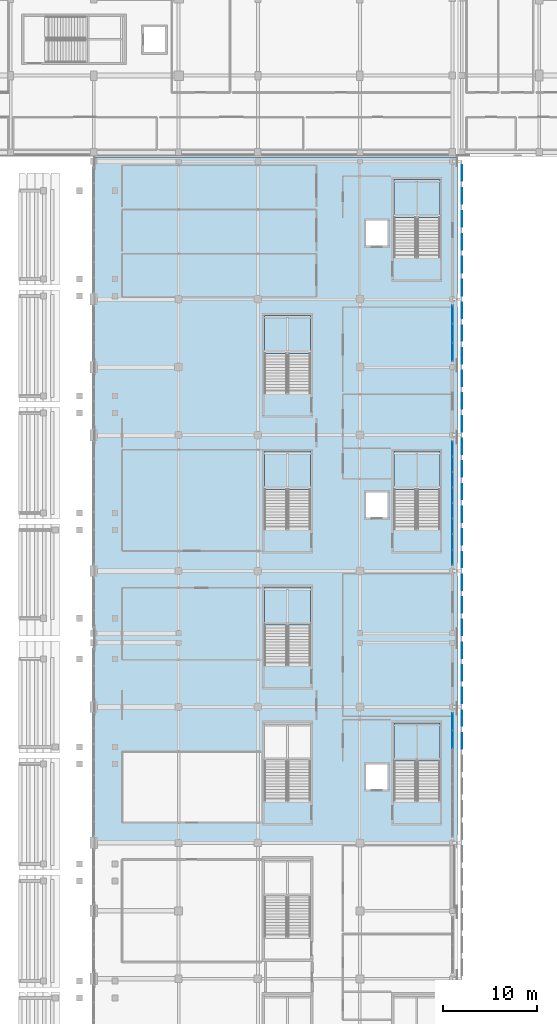
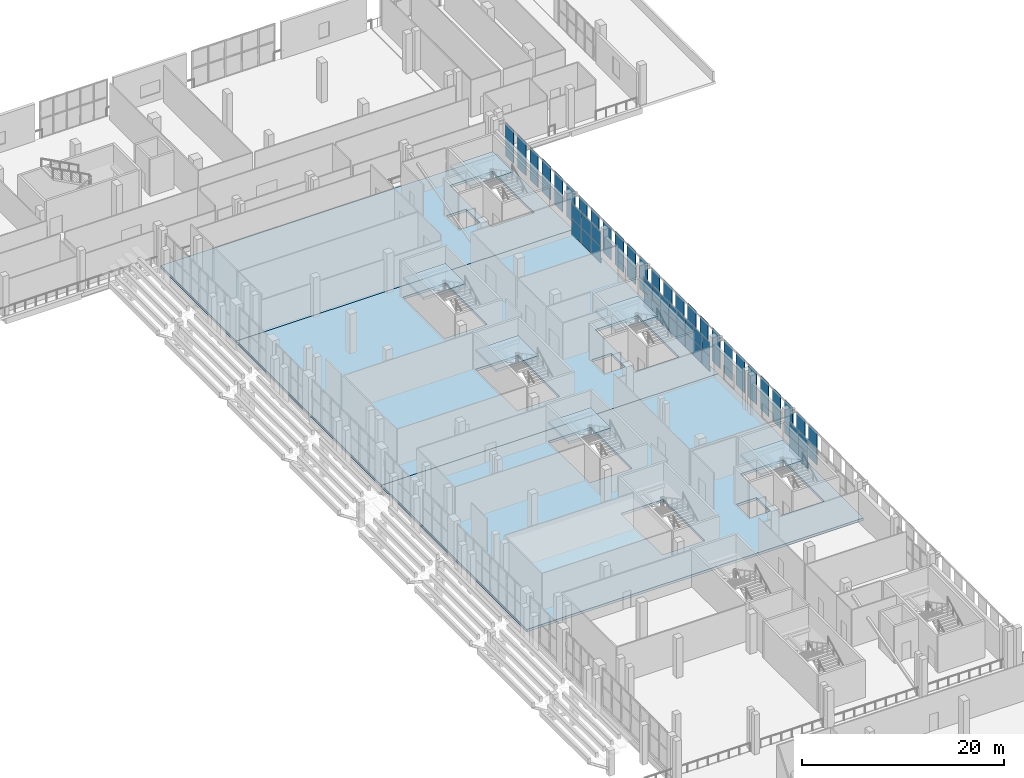
# One storey, part 82 of 142: 52 plates, 9 slabs, 9 elements without a shape of their own.
"""IFC4 building model written with IfcOpenShell, lengths in metres."""

from ifc_helpers import new_model, si_unit, direction, frame, origin, origin_2d, place, context, subcontext, project, spatial, polyline, rectangle, outline, extrude, material, layer, layer_set, type_object, element, aggregate, save


model = new_model("IFC4")

# Units and contexts
model_context = context("Model", 3, precision=1e-05, world=origin(), true_north=direction((0.0, 1.0)))
body_context = subcontext(model_context, "Body", "Model", "MODEL_VIEW")
ifc_project = project(units=[si_unit("LENGTHUNIT", "METRE"), si_unit("AREAUNIT", "SQUARE_METRE"), si_unit("VOLUMEUNIT", "CUBIC_METRE"), si_unit("PLANEANGLEUNIT", "RADIAN"), si_unit("MASSUNIT", "GRAM", prefix="KILO")], contexts=[model_context])

# Site, building, storey
site_placement = place(None, origin())
site = spatial("IfcSite", under=ifc_project, at=site_placement, CompositionType="ELEMENT")
building_placement = place(site_placement, origin())
building = spatial("IfcBuilding", under=site, at=building_placement, Name="Koshinbarg Plaza Stadium", CompositionType="ELEMENT")
storey_placement = place(building_placement, frame((0.0, 0.0, 10.199951171875)))
storey = spatial("IfcBuildingStorey", under=building, at=storey_placement, Name="L02", CompositionType="ELEMENT", Elevation=10.199951171875)

# Curtain wall, plates
ifc_material_1 = material(Name="Thermally broken anodised aluminium and low-E double glazing", Category="aluminium")
curtain_wall_type_1 = type_object("IfcCurtainWallType", Name="CW-SYS-09", PredefinedType="NOTDEFINED", material=ifc_material_1)
curtain_wall_1_placement = place(storey_placement, origin())
curtain_wall_1 = element("IfcCurtainWall", 1, at=curtain_wall_1_placement, inside=storey, type_object=curtain_wall_type_1, Name="L02 unitised curtain wall CW-L02-056", PredefinedType="NOTDEFINED")
ifc_material_2 = material(Name="Solar-control low-E double glazing unit", Category="glass")
ifc_layer_1 = layer(ifc_material_2, 0.028076171875)
ifc_layer_set_1 = layer_set([ifc_layer_1], Name="Solar-control low-E double glazing unit")
plate_type_1 = type_object("IfcPlateType", Name="CW-PNL-28", PredefinedType="CURTAIN_PANEL", material=ifc_layer_set_1)
plate_1_placement = place(storey_placement, frame((218.39990234375, 96.04248046875, 0.06005859375), z_axis=(0.0, 0.0, 1.0), x_axis=(0.0, -1.0, 0.0)))
plate_1 = element("IfcPlate", 2, at=plate_1_placement, type_object=plate_type_1, Name="CW09 panel 1.1", PredefinedType="CURTAIN_PANEL", context=body_context, shape_type="SweptSolid", body=[
    extrude(rectangle(XDim=1.554931640625, YDim=0.028076171875, at=origin_2d()), origin(), (0.0, 0.0, 1.0), 1.76123046875),
])
plate_2_placement = place(storey_placement, frame((218.39990234375, 96.04248046875, 1.88134765625), z_axis=(0.0, 0.0, 1.0), x_axis=(0.0, -1.0, 0.0)))
plate_2 = element("IfcPlate", 3, at=plate_2_placement, type_object=plate_type_1, Name="CW09 panel 1.2", PredefinedType="CURTAIN_PANEL", context=body_context, shape_type="SweptSolid", body=[
    extrude(rectangle(XDim=1.554931640625, YDim=0.028076171875, at=origin_2d()), origin(), (0.0, 0.0, 1.0), 1.618896484375),
])
plate_3_placement = place(storey_placement, frame((218.39990234375, 94.41259765625, 0.06005859375), z_axis=(0.0, 0.0, 1.0), x_axis=(0.0, -1.0, 0.0)))
plate_3 = element("IfcPlate", 4, at=plate_3_placement, type_object=plate_type_1, Name="CW09 panel 2.1", PredefinedType="CURTAIN_PANEL", context=body_context, shape_type="SweptSolid", body=[
    extrude(rectangle(XDim=1.5849609375, YDim=0.028076171875, at=origin_2d()), origin(), (0.0, 0.0, 1.0), 1.76123046875),
])
plate_4_placement = place(storey_placement, frame((218.39990234375, 94.41259765625, 1.88134765625), z_axis=(0.0, 0.0, 1.0), x_axis=(0.0, -1.0, 0.0)))
plate_4 = element("IfcPlate", 5, at=plate_4_placement, type_object=plate_type_1, Name="CW09 panel 2.2", PredefinedType="CURTAIN_PANEL", context=body_context, shape_type="SweptSolid", body=[
    extrude(rectangle(XDim=1.5849609375, YDim=0.028076171875, at=origin_2d()), origin(), (0.0, 0.0, 1.0), 1.618896484375),
])
plate_5_placement = place(storey_placement, frame((218.39990234375, 92.767578125, 0.06005859375), z_axis=(0.0, 0.0, 1.0), x_axis=(0.0, -1.0, 0.0)))
plate_5 = element("IfcPlate", 6, at=plate_5_placement, type_object=plate_type_1, Name="CW09 panel 3.1", PredefinedType="CURTAIN_PANEL", context=body_context, shape_type="SweptSolid", body=[
    extrude(rectangle(XDim=1.5849609375, YDim=0.028076171875, at=origin_2d()), origin(), (0.0, 0.0, 1.0), 1.76123046875),
])
plate_6_placement = place(storey_placement, frame((218.39990234375, 92.767578125, 1.88134765625), z_axis=(0.0, 0.0, 1.0), x_axis=(0.0, -1.0, 0.0)))
plate_6 = element("IfcPlate", 7, at=plate_6_placement, type_object=plate_type_1, Name="CW09 panel 3.2", PredefinedType="CURTAIN_PANEL", context=body_context, shape_type="SweptSolid", body=[
    extrude(rectangle(XDim=1.5849609375, YDim=0.028076171875, at=origin_2d()), origin(), (0.0, 0.0, 1.0), 1.618896484375),
])
plate_7_placement = place(storey_placement, frame((218.39990234375, 91.12255859375, 0.06005859375), z_axis=(0.0, 0.0, 1.0), x_axis=(0.0, -1.0, 0.0)))
plate_7 = element("IfcPlate", 8, at=plate_7_placement, type_object=plate_type_1, Name="CW09 panel 4.1", PredefinedType="CURTAIN_PANEL", context=body_context, shape_type="SweptSolid", body=[
    extrude(rectangle(XDim=1.5849609375, YDim=0.028076171875, at=origin_2d()), origin(), (0.0, 0.0, 1.0), 1.76123046875),
])
plate_8_placement = place(storey_placement, frame((218.39990234375, 91.12255859375, 1.88134765625), z_axis=(0.0, 0.0, 1.0), x_axis=(0.0, -1.0, 0.0)))
plate_8 = element("IfcPlate", 9, at=plate_8_placement, type_object=plate_type_1, Name="CW09 panel 4.2", PredefinedType="CURTAIN_PANEL", context=body_context, shape_type="SweptSolid", body=[
    extrude(rectangle(XDim=1.5849609375, YDim=0.028076171875, at=origin_2d()), origin(), (0.0, 0.0, 1.0), 1.618896484375),
])
plate_9_placement = place(storey_placement, frame((218.39990234375, 89.4775390625, 0.06005859375), z_axis=(0.0, 0.0, 1.0), x_axis=(0.0, -1.0, 0.0)))
plate_9 = element("IfcPlate", 10, at=plate_9_placement, type_object=plate_type_1, Name="CW09 panel 5.1", PredefinedType="CURTAIN_PANEL", context=body_context, shape_type="SweptSolid", body=[
    extrude(rectangle(XDim=1.5849609375, YDim=0.028076171875, at=origin_2d()), origin(), (0.0, 0.0, 1.0), 1.76123046875),
])
plate_10_placement = place(storey_placement, frame((218.39990234375, 89.4775390625, 1.88134765625), z_axis=(0.0, 0.0, 1.0), x_axis=(0.0, -1.0, 0.0)))
plate_10 = element("IfcPlate", 11, at=plate_10_placement, type_object=plate_type_1, Name="CW09 panel 5.2", PredefinedType="CURTAIN_PANEL", context=body_context, shape_type="SweptSolid", body=[
    extrude(rectangle(XDim=1.5849609375, YDim=0.028076171875, at=origin_2d()), origin(), (0.0, 0.0, 1.0), 1.618896484375),
])
plate_11_placement = place(storey_placement, frame((218.39990234375, 87.83251953125, 0.06005859375), z_axis=(0.0, 0.0, 1.0), x_axis=(0.0, -1.0, 0.0)))
plate_11 = element("IfcPlate", 12, at=plate_11_placement, type_object=plate_type_1, Name="CW09 panel 6.1", PredefinedType="CURTAIN_PANEL", context=body_context, shape_type="SweptSolid", body=[
    extrude(rectangle(XDim=1.5849609375, YDim=0.028076171875, at=origin_2d()), origin(), (0.0, 0.0, 1.0), 1.76123046875),
])
plate_12_placement = place(storey_placement, frame((218.39990234375, 87.83251953125, 1.88134765625), z_axis=(0.0, 0.0, 1.0), x_axis=(0.0, -1.0, 0.0)))
plate_12 = element("IfcPlate", 13, at=plate_12_placement, type_object=plate_type_1, Name="CW09 panel 6.2", PredefinedType="CURTAIN_PANEL", context=body_context, shape_type="SweptSolid", body=[
    extrude(rectangle(XDim=1.5849609375, YDim=0.028076171875, at=origin_2d()), origin(), (0.0, 0.0, 1.0), 1.618896484375),
])
plate_13_placement = place(storey_placement, frame((218.39990234375, 86.1875, 0.06005859375), z_axis=(0.0, 0.0, 1.0), x_axis=(0.0, -1.0, 0.0)))
plate_13 = element("IfcPlate", 14, at=plate_13_placement, type_object=plate_type_1, Name="CW09 panel 7.1", PredefinedType="CURTAIN_PANEL", context=body_context, shape_type="SweptSolid", body=[
    extrude(rectangle(XDim=1.5849609375, YDim=0.028076171875, at=origin_2d()), origin(), (0.0, 0.0, 1.0), 1.76123046875),
])
plate_14_placement = place(storey_placement, frame((218.39990234375, 86.1875, 1.88134765625), z_axis=(0.0, 0.0, 1.0), x_axis=(0.0, -1.0, 0.0)))
plate_14 = element("IfcPlate", 15, at=plate_14_placement, type_object=plate_type_1, Name="CW09 panel 7.2", PredefinedType="CURTAIN_PANEL", context=body_context, shape_type="SweptSolid", body=[
    extrude(rectangle(XDim=1.5849609375, YDim=0.028076171875, at=origin_2d()), origin(), (0.0, 0.0, 1.0), 1.618896484375),
])
plate_15_placement = place(storey_placement, frame((218.39990234375, 84.5576171875, 0.06005859375), z_axis=(0.0, 0.0, 1.0), x_axis=(0.0, -1.0, 0.0)))
plate_15 = element("IfcPlate", 16, at=plate_15_placement, type_object=plate_type_1, Name="CW09 panel 8.1", PredefinedType="CURTAIN_PANEL", context=body_context, shape_type="SweptSolid", body=[
    extrude(rectangle(XDim=1.554931640625, YDim=0.028076171875, at=origin_2d()), origin(), (0.0, 0.0, 1.0), 1.76123046875),
])
plate_16_placement = place(storey_placement, frame((218.39990234375, 84.5576171875, 1.88134765625), z_axis=(0.0, 0.0, 1.0), x_axis=(0.0, -1.0, 0.0)))
plate_16 = element("IfcPlate", 17, at=plate_16_placement, type_object=plate_type_1, Name="CW09 panel 8.2", PredefinedType="CURTAIN_PANEL", context=body_context, shape_type="SweptSolid", body=[
    extrude(rectangle(XDim=1.554931640625, YDim=0.028076171875, at=origin_2d()), origin(), (0.0, 0.0, 1.0), 1.618896484375),
])
aggregate(curtain_wall_1, [plate_1, plate_2, plate_3, plate_4, plate_5, plate_6, plate_7, plate_8, plate_9, plate_10, plate_11, plate_12, plate_13, plate_14, plate_15, plate_16])

curtain_wall_type_2 = type_object("IfcCurtainWallType", Name="CW-SYS-08", PredefinedType="NOTDEFINED", material=ifc_material_1)
curtain_wall_2_placement = place(storey_placement, origin())
curtain_wall_2 = element("IfcCurtainWall", 18, at=curtain_wall_2_placement, inside=storey, type_object=curtain_wall_type_2, Name="L02 unitised curtain wall CW-L02-055", PredefinedType="NOTDEFINED")
ifc_material_3 = material(Name="Acoustic solar-control double glazing unit", Category="glass")
ifc_layer_2 = layer(ifc_material_3, 0.031982421875)
ifc_layer_set_2 = layer_set([ifc_layer_2], Name="Acoustic solar-control double glazing unit")
plate_type_2 = type_object("IfcPlateType", Name="CW-PNL-32", PredefinedType="CURTAIN_PANEL", material=ifc_layer_set_2)
plate_17_placement = place(storey_placement, frame((218.39990234375, 110.271728515625, 0.06005859375), z_axis=(0.0, 0.0, 1.0), x_axis=(0.0, -1.0, 0.0)))
plate_17 = element("IfcPlate", 19, at=plate_17_placement, type_object=plate_type_2, Name="CW08 panel 1.1", PredefinedType="CURTAIN_PANEL", context=body_context, shape_type="SweptSolid", body=[
    extrude(rectangle(XDim=1.896728515625, YDim=0.031982421875, at=origin_2d()), origin(), (0.0, 0.0, 1.0), 1.917236328125),
])
plate_18_placement = place(storey_placement, frame((218.39990234375, 110.271728515625, 2.037353515625), z_axis=(0.0, 0.0, 1.0), x_axis=(0.0, -1.0, 0.0)))
plate_18 = element("IfcPlate", 20, at=plate_18_placement, type_object=plate_type_2, Name="CW08 panel 1.2", PredefinedType="CURTAIN_PANEL", context=body_context, shape_type="SweptSolid", body=[
    extrude(rectangle(XDim=1.896728515625, YDim=0.031982421875, at=origin_2d()), origin(), (0.0, 0.0, 1.0), 1.7626953125),
])
plate_19_placement = place(storey_placement, frame((218.39990234375, 108.300048828125, 0.06005859375), z_axis=(0.0, 0.0, 1.0), x_axis=(0.0, -1.0, 0.0)))
plate_19 = element("IfcPlate", 21, at=plate_19_placement, type_object=plate_type_2, Name="CW08 panel 2.1", PredefinedType="CURTAIN_PANEL", context=body_context, shape_type="SweptSolid", body=[
    extrude(rectangle(XDim=1.9267578125, YDim=0.031982421875, at=origin_2d()), origin(), (0.0, 0.0, 1.0), 1.917236328125),
])
plate_20_placement = place(storey_placement, frame((218.39990234375, 108.300048828125, 2.037353515625), z_axis=(0.0, 0.0, 1.0), x_axis=(0.0, -1.0, 0.0)))
plate_20 = element("IfcPlate", 22, at=plate_20_placement, type_object=plate_type_2, Name="CW08 panel 2.2", PredefinedType="CURTAIN_PANEL", context=body_context, shape_type="SweptSolid", body=[
    extrude(rectangle(XDim=1.9267578125, YDim=0.031982421875, at=origin_2d()), origin(), (0.0, 0.0, 1.0), 1.7626953125),
])
plate_21_placement = place(storey_placement, frame((218.39990234375, 106.328369140625, 0.06005859375), z_axis=(0.0, 0.0, 1.0), x_axis=(0.0, -1.0, 0.0)))
plate_21 = element("IfcPlate", 23, at=plate_21_placement, type_object=plate_type_2, Name="CW08 panel 3.1", PredefinedType="CURTAIN_PANEL", context=body_context, shape_type="SweptSolid", body=[
    extrude(rectangle(XDim=1.896728515625, YDim=0.031982421875, at=origin_2d()), origin(), (0.0, 0.0, 1.0), 1.917236328125),
])
plate_22_placement = place(storey_placement, frame((218.39990234375, 106.328369140625, 2.037353515625), z_axis=(0.0, 0.0, 1.0), x_axis=(0.0, -1.0, 0.0)))
plate_22 = element("IfcPlate", 24, at=plate_22_placement, type_object=plate_type_2, Name="CW08 panel 3.2", PredefinedType="CURTAIN_PANEL", context=body_context, shape_type="SweptSolid", body=[
    extrude(rectangle(XDim=1.896728515625, YDim=0.031982421875, at=origin_2d()), origin(), (0.0, 0.0, 1.0), 1.7626953125),
])
aggregate(curtain_wall_2, [plate_17, plate_18, plate_19, plate_20, plate_21, plate_22])

curtain_wall_type_3 = type_object("IfcCurtainWallType", Name="CW-SYS-10", PredefinedType="NOTDEFINED", material=ifc_material_1)
curtain_wall_3_placement = place(storey_placement, origin())
curtain_wall_3 = element("IfcCurtainWall", 25, at=curtain_wall_3_placement, inside=storey, type_object=curtain_wall_type_3, Name="L02 unitised curtain wall CW-L02-057", PredefinedType="NOTDEFINED")
plate_23_placement = place(storey_placement, frame((218.39990234375, 67.125, 0.06005859375), z_axis=(0.0, 0.0, 1.0), x_axis=(0.0, -1.0, 0.0)))
plate_23 = element("IfcPlate", 26, at=plate_23_placement, type_object=plate_type_2, Name="CW10 panel 1.1", PredefinedType="CURTAIN_PANEL", context=body_context, shape_type="SweptSolid", body=[
    extrude(rectangle(XDim=1.7900390625, YDim=0.031982421875, at=origin_2d()), origin(), (0.0, 0.0, 1.0), 1.76123046875),
])
plate_24_placement = place(storey_placement, frame((218.39990234375, 67.125, 1.88134765625), z_axis=(0.0, 0.0, 1.0), x_axis=(0.0, -1.0, 0.0)))
plate_24 = element("IfcPlate", 27, at=plate_24_placement, type_object=plate_type_2, Name="CW10 panel 1.2", PredefinedType="CURTAIN_PANEL", context=body_context, shape_type="SweptSolid", body=[
    extrude(rectangle(XDim=1.7900390625, YDim=0.031982421875, at=origin_2d()), origin(), (0.0, 0.0, 1.0), 1.618896484375),
])
plate_25_placement = place(storey_placement, frame((218.39990234375, 65.260009765625, 0.06005859375), z_axis=(0.0, 0.0, 1.0), x_axis=(0.0, -1.0, 0.0)))
plate_25 = element("IfcPlate", 28, at=plate_25_placement, type_object=plate_type_2, Name="CW10 panel 2.1", PredefinedType="CURTAIN_PANEL", context=body_context, shape_type="SweptSolid", body=[
    extrude(rectangle(XDim=1.820068359375, YDim=0.031982421875, at=origin_2d()), origin(), (0.0, 0.0, 1.0), 1.76123046875),
])
plate_26_placement = place(storey_placement, frame((218.39990234375, 65.260009765625, 1.88134765625), z_axis=(0.0, 0.0, 1.0), x_axis=(0.0, -1.0, 0.0)))
plate_26 = element("IfcPlate", 29, at=plate_26_placement, type_object=plate_type_2, Name="CW10 panel 2.2", PredefinedType="CURTAIN_PANEL", context=body_context, shape_type="SweptSolid", body=[
    extrude(rectangle(XDim=1.820068359375, YDim=0.031982421875, at=origin_2d()), origin(), (0.0, 0.0, 1.0), 1.618896484375),
])
aggregate(curtain_wall_3, [plate_23, plate_24, plate_25, plate_26])

# Plates
ifc_material_4 = material(Name="Off-white mineral-coated perforated aluminium screen panel", Category="aluminium")
ifc_layer_3 = layer(ifc_material_4, 0.050048828125)
ifc_layer_set_3 = layer_set([ifc_layer_3], Name="Off-white mineral-coated perforated aluminium screen panel")
plate_type_3 = type_object("IfcPlateType", Name="PLT-SCR-50", PredefinedType="USERDEFINED", material=ifc_layer_set_3)
for number, where, z_axis, x_axis, name in (
    (30, (219.419921875, 67.5, 0.2001953125), (0.0, 0.0, 1.0), (1.0, 0.0, 0.0), "L02 off-white leaf-pierced outer screen panel 144"),
    (31, (219.419921875, 72.300048828125, 0.2001953125), (0.0, 0.0, 1.0), (1.0, 0.0, 0.0), "L02 off-white leaf-pierced outer screen panel 146"),
    (32, (219.419921875, 77.10009765625, 0.2001953125), (0.0, 0.0, 1.0), (1.0, 0.0, 0.0), "L02 off-white leaf-pierced outer screen panel 148"),
    (33, (219.419921875, 81.89990234375, 0.2001953125), (0.0, 0.0, 1.0), (1.0, 0.0, 0.0), "L02 off-white leaf-pierced outer screen panel 150"),
    (34, (219.419921875, 86.699951171875, 0.2001953125), (0.0, 0.0, 1.0), (1.0, 0.0, 0.0), "L02 off-white leaf-pierced outer screen panel 152"),
    (35, (219.419921875, 91.5, 0.2001953125), (0.0, 0.0, 1.0), (1.0, 0.0, 0.0), "L02 off-white leaf-pierced outer screen panel 154"),
    (36, (219.419921875, 96.300048828125, 0.2001953125), (0.0, 0.0, 1.0), (1.0, 0.0, 0.0), "L02 off-white leaf-pierced outer screen panel 156"),
    (37, (219.419921875, 101.10009765625, 0.2001953125), (0.0, 0.0, 1.0), (1.0, 0.0, 0.0), "L02 off-white leaf-pierced outer screen panel 158"),
    (38, (219.419921875, 105.89990234375, 0.2001953125), (0.0, 0.0, 1.0), (1.0, 0.0, 0.0), "L02 off-white leaf-pierced outer screen panel 160"),
    (39, (219.419921875, 110.699951171875, 0.2001953125), (0.0, 0.0, 1.0), (1.0, 0.0, 0.0), "L02 off-white leaf-pierced outer screen panel 162"),
):
    element("IfcPlate", number, at=place(storey_placement, frame(where, z_axis=z_axis, x_axis=x_axis)), inside=storey, type_object=plate_type_3, Name=name, ObjectType="SCREEN PANEL", PredefinedType="USERDEFINED", context=body_context, shape_type="SweptSolid", body=[
        extrude(rectangle(XDim=0.050048828125, YDim=1.632080078125, at=origin_2d()), origin(), (0.0, 0.0, 1.0), 4.030029296875),
    ])
for number, where, z_axis, x_axis, name in (
    (40, (219.419921875, 115.550048828125, 0.2001953125), (0.0, 0.0, 1.0), (1.0, 0.0, 0.0), "L02 off-white leaf-pierced outer screen panel 164"),
    (41, (219.419921875, 120.416748046875, 0.2001953125), (0.0, 0.0, 1.0), (1.0, 0.0, 0.0), "L02 off-white leaf-pierced outer screen panel 166"),
    (42, (219.419921875, 125.283203125, 0.2001953125), (0.0, 0.0, 1.0), (1.0, 0.0, 0.0), "L02 off-white leaf-pierced outer screen panel 168"),
):
    element("IfcPlate", number, at=place(storey_placement, frame(where, z_axis=z_axis, x_axis=x_axis)), inside=storey, type_object=plate_type_3, Name=name, ObjectType="SCREEN PANEL", PredefinedType="USERDEFINED", context=body_context, shape_type="SweptSolid", body=[
        extrude(rectangle(XDim=0.050048828125, YDim=1.65478515625, at=origin_2d()), origin(), (0.0, 0.0, 1.0), 4.030029296875),
    ])
ifc_material_5 = material(Name="Off-white mineral-coated leaf-aperture GRC screen panel")
ifc_layer_4 = layer(ifc_material_5, 0.06005859375)
ifc_layer_set_4 = layer_set([ifc_layer_4], Name="Off-white mineral-coated leaf-aperture GRC screen panel")
plate_type_4 = type_object("IfcPlateType", Name="PLT-SCR-60", PredefinedType="USERDEFINED", material=ifc_layer_set_4)
for number, where, z_axis, x_axis, name in (
    (43, (219.425048828125, 65.10009765625, 0.2001953125), (0.0, 0.0, 1.0), (1.0, 0.0, 0.0), "L02 off-white leaf-pierced outer screen panel 143"),
    (44, (219.425048828125, 69.89990234375, 0.2001953125), (0.0, 0.0, 1.0), (1.0, 0.0, 0.0), "L02 off-white leaf-pierced outer screen panel 145"),
    (45, (219.425048828125, 74.699951171875, 0.2001953125), (0.0, 0.0, 1.0), (1.0, 0.0, 0.0), "L02 off-white leaf-pierced outer screen panel 147"),
    (46, (219.425048828125, 79.5, 0.2001953125), (0.0, 0.0, 1.0), (1.0, 0.0, 0.0), "L02 off-white leaf-pierced outer screen panel 149"),
    (47, (219.425048828125, 84.300048828125, 0.2001953125), (0.0, 0.0, 1.0), (1.0, 0.0, 0.0), "L02 off-white leaf-pierced outer screen panel 151"),
    (48, (219.425048828125, 89.10009765625, 0.2001953125), (0.0, 0.0, 1.0), (1.0, 0.0, 0.0), "L02 off-white leaf-pierced outer screen panel 153"),
    (49, (219.425048828125, 93.89990234375, 0.2001953125), (0.0, 0.0, 1.0), (1.0, 0.0, 0.0), "L02 off-white leaf-pierced outer screen panel 155"),
    (50, (219.425048828125, 98.699951171875, 0.2001953125), (0.0, 0.0, 1.0), (1.0, 0.0, 0.0), "L02 off-white leaf-pierced outer screen panel 157"),
    (51, (219.425048828125, 103.5, 0.2001953125), (0.0, 0.0, 1.0), (1.0, 0.0, 0.0), "L02 off-white leaf-pierced outer screen panel 159"),
    (52, (219.425048828125, 108.300048828125, 0.2001953125), (0.0, 0.0, 1.0), (1.0, 0.0, 0.0), "L02 off-white leaf-pierced outer screen panel 161"),
):
    element("IfcPlate", number, at=place(storey_placement, frame(where, z_axis=z_axis, x_axis=x_axis)), inside=storey, type_object=plate_type_4, Name=name, ObjectType="SCREEN PANEL", PredefinedType="USERDEFINED", context=body_context, shape_type="SweptSolid", body=[
        extrude(rectangle(XDim=0.06005859375, YDim=1.632080078125, at=origin_2d()), origin(), (0.0, 0.0, 1.0), 4.030029296875),
    ])
for number, where, z_axis, x_axis, name in (
    (53, (219.425048828125, 113.11669921875, 0.2001953125), (0.0, 0.0, 1.0), (1.0, 0.0, 0.0), "L02 off-white leaf-pierced outer screen panel 163"),
    (54, (219.425048828125, 117.9833984375, 0.2001953125), (0.0, 0.0, 1.0), (1.0, 0.0, 0.0), "L02 off-white leaf-pierced outer screen panel 165"),
    (55, (219.425048828125, 122.85009765625, 0.2001953125), (0.0, 0.0, 1.0), (1.0, 0.0, 0.0), "L02 off-white leaf-pierced outer screen panel 167"),
):
    element("IfcPlate", number, at=place(storey_placement, frame(where, z_axis=z_axis, x_axis=x_axis)), inside=storey, type_object=plate_type_4, Name=name, ObjectType="SCREEN PANEL", PredefinedType="USERDEFINED", context=body_context, shape_type="SweptSolid", body=[
        extrude(rectangle(XDim=0.06005859375, YDim=1.65478515625, at=origin_2d()), origin(), (0.0, 0.0, 1.0), 4.030029296875),
    ])

# Slabs
ifc_material_6 = material(Name="Concrete C35/45", Category="concrete")
ifc_layer_5 = layer(ifc_material_6, 0.300048828125)
ifc_layer_set_5 = layer_set([ifc_layer_5], Name="Concrete C35/45")
slab_type_1 = type_object("IfcSlabType", Name="SL-FLR-300", PredefinedType="FLOOR", material=ifc_layer_set_5)
slab_1_placement = place(storey_placement, frame((0.0, 0.0, -0.300048828125)))
element("IfcSlab", 56, at=slab_1_placement, inside=storey, type_object=slab_type_1, Name="L02 V2 structural slab 6", PredefinedType="FLOOR", context=body_context, shape_type="SweptSolid", body=[
    extrude(outline(polyline([(180.39990234375, 54.300048828125), (218.955078125, 54.300048828125), (218.955078125, 83.10009765625), (180.39990234375, 83.10009765625), (180.39990234375, 54.300048828125)]), holes=[polyline([(217.070068359375, 58.760009765625), (217.070068359375, 67.0), (212.199951171875, 67.0), (212.199951171875, 58.760009765625), (217.070068359375, 58.760009765625)]), polyline([(209.25, 59.949951171875), (211.550048828125, 59.949951171875), (211.550048828125, 62.64990234375), (209.25, 62.64990234375), (209.25, 59.949951171875)]), polyline([(203.3701171875, 58.760009765625), (203.3701171875, 67.0), (198.5, 67.0), (198.5, 58.760009765625), (203.3701171875, 58.760009765625)]), polyline([(203.3701171875, 73.159912109375), (203.3701171875, 81.39990234375), (198.5, 81.39990234375), (198.5, 73.159912109375), (203.3701171875, 73.159912109375)])]), origin(), (0.0, 0.0, 1.0), 0.300048828125),
])
slab_2_placement = place(storey_placement, frame((0.0, 0.0, -0.300048828125)))
element("IfcSlab", 57, at=slab_2_placement, inside=storey, type_object=slab_type_1, Name="L02 V2 structural slab 7", PredefinedType="FLOOR", context=body_context, shape_type="SweptSolid", body=[
    extrude(outline(polyline([(180.39990234375, 83.10009765625), (218.955078125, 83.10009765625), (218.955078125, 111.89990234375), (180.39990234375, 111.89990234375), (180.39990234375, 83.10009765625)]), holes=[polyline([(217.070068359375, 87.56005859375), (217.070068359375, 95.800048828125), (212.199951171875, 95.800048828125), (212.199951171875, 87.56005859375), (217.070068359375, 87.56005859375)]), polyline([(209.25, 88.75), (211.550048828125, 88.75), (211.550048828125, 91.449951171875), (209.25, 91.449951171875), (209.25, 88.75)]), polyline([(203.3701171875, 87.56005859375), (203.3701171875, 95.800048828125), (198.5, 95.800048828125), (198.5, 87.56005859375), (203.3701171875, 87.56005859375)]), polyline([(203.3701171875, 101.9599609375), (203.3701171875, 110.199951171875), (198.5, 110.199951171875), (198.5, 101.9599609375), (203.3701171875, 101.9599609375)])]), origin(), (0.0, 0.0, 1.0), 0.300048828125),
])
slab_3_placement = place(storey_placement, frame((0.0, 0.0, -0.300048828125)))
element("IfcSlab", 58, at=slab_3_placement, inside=storey, type_object=slab_type_1, Name="L02 V2 structural slab 8", PredefinedType="FLOOR", context=body_context, shape_type="SweptSolid", body=[
    extrude(outline(polyline([(180.39990234375, 111.89990234375), (218.955078125, 111.89990234375), (218.955078125, 126.955078125), (180.39990234375, 126.955078125), (180.39990234375, 111.89990234375)]), holes=[polyline([(217.070068359375, 116.360107421875), (217.070068359375, 124.60009765625), (212.199951171875, 124.60009765625), (212.199951171875, 116.360107421875), (217.070068359375, 116.360107421875)]), polyline([(209.25, 117.550048828125), (211.550048828125, 117.550048828125), (211.550048828125, 120.25), (209.25, 120.25), (209.25, 117.550048828125)])]), origin(), (0.0, 0.0, 1.0), 0.300048828125),
])

# Stair, slab
stair_type_1 = type_object("IfcStairType", Name="ST-CORE-48", PredefinedType="HALF_TURN_STAIR", material=ifc_material_6)
stair_1_placement = place(storey_placement, origin())
stair_1 = element("IfcStair", 59, at=stair_1_placement, inside=storey, type_object=stair_type_1, Name="L02 Protected Exit Stair C08", PredefinedType="HALF_TURN_STAIR")
ifc_layer_6 = layer(ifc_material_6, 0.320068359375)
ifc_layer_set_6 = layer_set([ifc_layer_6], Name="Concrete C35/45")
slab_type_2 = type_object("IfcSlabType", Name="SL-STLAND-280", PredefinedType="LANDING", material=ifc_layer_set_6)
slab_4_placement = place(storey_placement, frame((0.0, 0.0, 2.080078125)))
slab_4 = element("IfcSlab", 60, at=slab_4_placement, type_object=slab_type_2, Name="L02 Protected Exit Stair C08 landing 044", PredefinedType="LANDING", context=body_context, shape_type="SweptSolid", body=[
    extrude(outline(polyline([(217.070068359375, 62.9599609375), (217.070068359375, 67.0), (212.199951171875, 67.0), (212.199951171875, 62.9599609375), (217.070068359375, 62.9599609375)])), origin(), (0.0, 0.0, 1.0), 0.320068359375),
])
aggregate(stair_1, [slab_4])

stair_2_placement = place(storey_placement, origin())
stair_2 = element("IfcStair", 61, at=stair_2_placement, inside=storey, type_object=stair_type_1, Name="L02 Protected Exit Stair C09", PredefinedType="HALF_TURN_STAIR")
slab_5_placement = place(storey_placement, frame((0.0, 0.0, 2.080078125)))
slab_5 = element("IfcSlab", 62, at=slab_5_placement, type_object=slab_type_2, Name="L02 Protected Exit Stair C09 landing 049", PredefinedType="LANDING", context=body_context, shape_type="SweptSolid", body=[
    extrude(outline(polyline([(217.070068359375, 91.760009765625), (217.070068359375, 95.800048828125), (212.199951171875, 95.800048828125), (212.199951171875, 91.760009765625), (217.070068359375, 91.760009765625)])), origin(), (0.0, 0.0, 1.0), 0.320068359375),
])
aggregate(stair_2, [slab_5])

stair_3_placement = place(storey_placement, origin())
stair_3 = element("IfcStair", 63, at=stair_3_placement, inside=storey, type_object=stair_type_1, Name="L02 Protected Exit Stair C10", PredefinedType="HALF_TURN_STAIR")
slab_6_placement = place(storey_placement, frame((0.0, 0.0, 2.080078125)))
slab_6 = element("IfcSlab", 64, at=slab_6_placement, type_object=slab_type_2, Name="L02 Protected Exit Stair C10 landing 054", PredefinedType="LANDING", context=body_context, shape_type="SweptSolid", body=[
    extrude(outline(polyline([(217.070068359375, 120.56005859375), (217.070068359375, 124.60009765625), (212.199951171875, 124.60009765625), (212.199951171875, 120.56005859375), (217.070068359375, 120.56005859375)])), origin(), (0.0, 0.0, 1.0), 0.320068359375),
])
aggregate(stair_3, [slab_6])

stair_type_2 = type_object("IfcStairType", Name="ST-VOM-48", PredefinedType="HALF_TURN_STAIR", material=ifc_material_6)
stair_4_placement = place(storey_placement, origin())
stair_4 = element("IfcStair", 65, at=stair_4_placement, inside=storey, type_object=stair_type_2, Name="L02 Upper Vomitory Stair VX10", PredefinedType="HALF_TURN_STAIR")
slab_7_placement = place(storey_placement, frame((0.0, 0.0, 2.080078125)))
slab_7 = element("IfcSlab", 66, at=slab_7_placement, type_object=slab_type_2, Name="L02 Upper Vomitory Stair VX10 landing 104", PredefinedType="LANDING", context=body_context, shape_type="SweptSolid", body=[
    extrude(outline(polyline([(203.3701171875, 77.360107421875), (203.3701171875, 81.39990234375), (198.5, 81.39990234375), (198.5, 77.360107421875), (203.3701171875, 77.360107421875)])), origin(), (0.0, 0.0, 1.0), 0.320068359375),
])
aggregate(stair_4, [slab_7])

stair_5_placement = place(storey_placement, origin())
stair_5 = element("IfcStair", 67, at=stair_5_placement, inside=storey, type_object=stair_type_2, Name="L02 Upper Vomitory Stair VX11", PredefinedType="HALF_TURN_STAIR")
slab_8_placement = place(storey_placement, frame((0.0, 0.0, 2.080078125)))
slab_8 = element("IfcSlab", 68, at=slab_8_placement, type_object=slab_type_2, Name="L02 Upper Vomitory Stair VX11 landing 107", PredefinedType="LANDING", context=body_context, shape_type="SweptSolid", body=[
    extrude(outline(polyline([(203.3701171875, 91.760009765625), (203.3701171875, 95.800048828125), (198.5, 95.800048828125), (198.5, 91.760009765625), (203.3701171875, 91.760009765625)])), origin(), (0.0, 0.0, 1.0), 0.320068359375),
])
aggregate(stair_5, [slab_8])

stair_6_placement = place(storey_placement, origin())
stair_6 = element("IfcStair", 69, at=stair_6_placement, inside=storey, type_object=stair_type_2, Name="L02 Upper Vomitory Stair VX12", PredefinedType="HALF_TURN_STAIR")
slab_9_placement = place(storey_placement, frame((0.0, 0.0, 2.080078125)))
slab_9 = element("IfcSlab", 70, at=slab_9_placement, type_object=slab_type_2, Name="L02 Upper Vomitory Stair VX12 landing 110", PredefinedType="LANDING", context=body_context, shape_type="SweptSolid", body=[
    extrude(outline(polyline([(203.3701171875, 106.159912109375), (203.3701171875, 110.199951171875), (198.5, 110.199951171875), (198.5, 106.159912109375), (203.3701171875, 106.159912109375)])), origin(), (0.0, 0.0, 1.0), 0.320068359375),
])
aggregate(stair_6, [slab_9])

save(model, "model.ifc")
